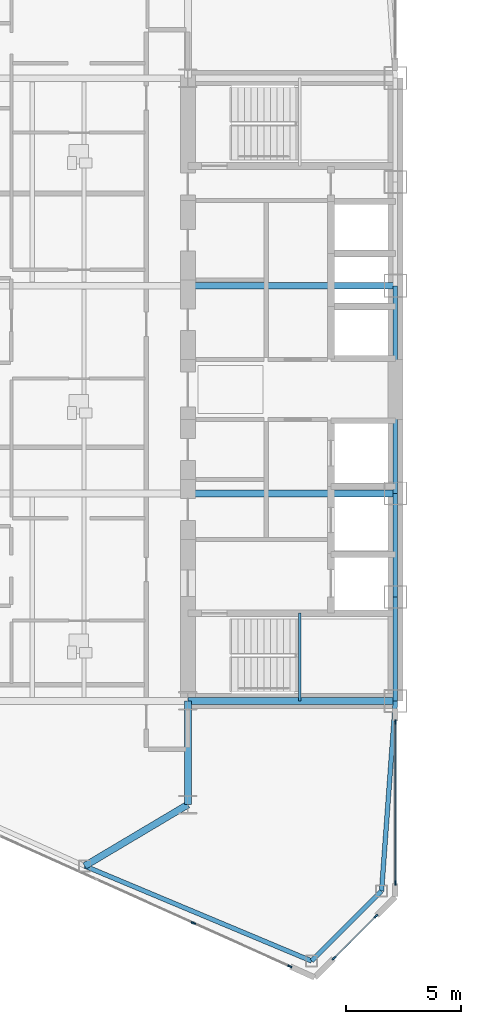
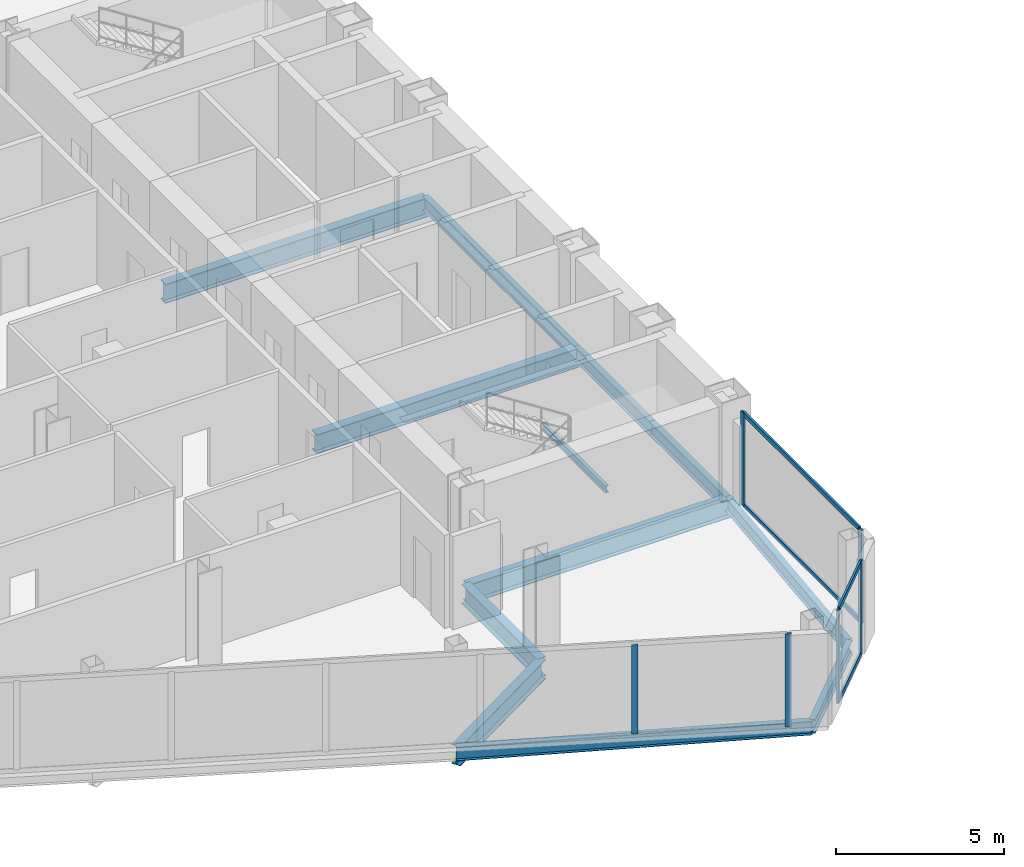
# One storey, part 6 of 27: 12 beams, 10 members, 3 elements without a shape of their own.
"""IFC4 building model written with IfcOpenShell, lengths in metres."""

from ifc_helpers import new_model, si_unit, direction, frame, origin, origin_2d, place, context, subcontext, project, spatial, rectangle, i_section, extrude, source, transform, mapped, material, layer, layer_set, material_profile, profile_set, type_object, type_shapes, element, aggregate, save


model = new_model("IFC4")

# Units and contexts
model_context = context("Model", 3, precision=1e-05, world=origin(), true_north=direction((0.0, 1.0)))
body_context = subcontext(model_context, "Body", "Model", "MODEL_VIEW")
ifc_project = project(units=[si_unit("LENGTHUNIT", "METRE"), si_unit("AREAUNIT", "SQUARE_METRE"), si_unit("VOLUMEUNIT", "CUBIC_METRE"), si_unit("PLANEANGLEUNIT", "RADIAN"), si_unit("MASSUNIT", "GRAM", prefix="KILO")], contexts=[model_context])

# Site, building, storey
site_placement = place(None, origin())
site = spatial("IfcSite", under=ifc_project, at=site_placement, CompositionType="ELEMENT")
building_placement = place(site_placement, origin())
building = spatial("IfcBuilding", under=site, at=building_placement, Name="Seokmaru Belvedere", CompositionType="ELEMENT")
storey_placement = place(building_placement, frame((0.0, 0.0, 96.0)))
storey = spatial("IfcBuildingStorey", under=building, at=storey_placement, Name="L25", CompositionType="ELEMENT", Elevation=96.0)

# Beams
ifc_material_1 = material(Name="Steel SM355 (355 MPa)", Category="steel")
ifc_material_profile_1 = material_profile(ifc_material_1, i_section(OverallWidth=0.199951171875, OverallDepth=0.5, WebThickness=0.010009765625, FlangeThickness=0.01611328125, at=origin_2d()), Name="H-500x200x10x16")
ifc_profile_set_1 = profile_set([ifc_material_profile_1], Name="Steel SM355 (355 MPa)")
beam_type_1 = type_object("IfcBeamType", Name="Perimeter Spandrel Beam H-500", PredefinedType="SPANDREL", material=ifc_profile_set_1)
shared_shape_1 = source(origin(), body_context, "Body", "SweptSolid", [
    extrude(i_section(OverallWidth=0.199951171875, OverallDepth=0.5, WebThickness=0.010009765625, FlangeThickness=0.01611328125, at=origin_2d()), origin(), (0.0, 0.0, 1.0), 4.5),
])
for number, where, z_axis, x_axis, name in (
    (1, (-27.5, -13.5, -0.469970703125), (0.0, 1.0, 0.0), (-1.0, 0.0, 0.0), "L25 W Portal Spine Spandrel 1"),
    (2, (-27.5, -9.0, -0.469970703125), (0.0, 1.0, 0.0), (-1.0, 0.0, 0.0), "L25 W Portal Spine Spandrel 2"),
):
    element("IfcBeam", number, at=place(storey_placement, frame(where, z_axis=z_axis, x_axis=x_axis)), inside=storey, type_object=beam_type_1, Name=name, PredefinedType="SPANDREL", context=body_context, shape_type="MappedRepresentation", body=[
        mapped(shared_shape_1, transform((0.0, 0.0, 0.0), scale=1.0)),
    ])
shared_shape_2 = source(origin(), body_context, "Body", "SweptSolid", [
    extrude(i_section(OverallWidth=0.199951171875, OverallDepth=0.5, WebThickness=0.010009765625, FlangeThickness=0.01611328125, at=origin_2d()), origin(), (0.0, 0.0, 1.0), 9.0),
])
beam_1_placement = place(storey_placement, frame((-27.5, -4.5, -0.469970703125), z_axis=(0.0, 1.0, 0.0), x_axis=(-1.0, 0.0, 0.0)))
element("IfcBeam", 3, at=beam_1_placement, inside=storey, type_object=beam_type_1, Name="L25 W Portal Spine Spandrel 3", PredefinedType="SPANDREL", context=body_context, shape_type="MappedRepresentation", body=[
    mapped(shared_shape_2, transform((0.0, 0.0, 0.0), scale=1.0)),
])
ifc_material_profile_2 = material_profile(ifc_material_1, i_section(OverallWidth=0.300048828125, OverallDepth=0.699951171875, WebThickness=0.012939453125, FlangeThickness=0.02392578125, at=origin_2d()), Name="H-700x300x13x24")
ifc_profile_set_2 = profile_set([ifc_material_profile_2], Name="Steel SM355 (355 MPa)")
beam_type_2 = type_object("IfcBeamType", Name="Primary Floor Girder H-700", PredefinedType="BEAM", material=ifc_profile_set_2)
shared_shape_3 = source(origin(), body_context, "Body", "SweptSolid", [
    extrude(i_section(OverallWidth=0.300048828125, OverallDepth=0.699951171875, WebThickness=0.012939453125, FlangeThickness=0.02392578125, at=origin_2d()), origin(), (0.0, 0.0, 1.0), 4.5),
])
beam_2_placement = place(storey_placement, frame((-36.5, -18.0, -0.570068359375), z_axis=(0.0, 1.0, 0.0), x_axis=(-1.0, 0.0, 0.0)))
element("IfcBeam", 4, at=beam_2_placement, inside=storey, type_object=beam_type_2, Name="L25 W Core Shoulder Girder S", PredefinedType="BEAM", context=body_context, shape_type="MappedRepresentation", body=[
    mapped(shared_shape_3, transform((0.0, 0.0, 0.0), scale=1.0)),
])
shared_shape_4 = source(origin(), body_context, "Body", "SweptSolid", [
    extrude(i_section(OverallWidth=0.300048828125, OverallDepth=0.699951171875, WebThickness=0.012939453125, FlangeThickness=0.02392578125, at=origin_2d()), origin(), (0.0, 0.0, 1.0), 9.0),
])
for number, where, z_axis, x_axis, name in (
    (5, (-36.5, -13.5, -0.570068359375), (1.0, 0.0, 0.0), (0.0, 1.0, 0.0), "L25 W Core Tie Girder 1"),
    (6, (-36.5, -4.5, -0.570068359375), (1.0, 0.0, 0.0), (0.0, 1.0, 0.0), "L25 W Core Tie Girder 2"),
    (7, (-36.5, 4.5, -0.570068359375), (1.0, 0.0, 0.0), (0.0, 1.0, 0.0), "L25 W Core Tie Girder 3"),
):
    element("IfcBeam", number, at=place(storey_placement, frame(where, z_axis=z_axis, x_axis=x_axis)), inside=storey, type_object=beam_type_2, Name=name, PredefinedType="BEAM", context=body_context, shape_type="MappedRepresentation", body=[
        mapped(shared_shape_4, transform((0.0, 0.0, 0.0), scale=1.0)),
    ])
shared_shape_5 = source(origin(), body_context, "Body", "SweptSolid", [
    extrude(i_section(OverallWidth=0.199951171875, OverallDepth=0.5, WebThickness=0.010009765625, FlangeThickness=0.01611328125, at=origin_2d()), origin(), (0.0, 0.0, 1.0), 10.66943359375),
])
beam_3_placement = place(storey_placement, frame((-31.13134765625, -24.782958984375, -0.469970703125), z_axis=(-0.922375393128, 0.386294750355, 0.0), x_axis=(-0.386294750355, -0.922375393128, 0.0)))
element("IfcBeam", 8, at=beam_3_placement, inside=storey, type_object=beam_type_1, Name="L25 W Faceted Flank Spandrel S-1", PredefinedType="SPANDREL", context=body_context, shape_type="MappedRepresentation", body=[
    mapped(shared_shape_5, transform((0.0, 0.0, 0.0), scale=1.0)),
])
shared_shape_6 = source(origin(), body_context, "Body", "SweptSolid", [
    extrude(i_section(OverallWidth=0.199951171875, OverallDepth=0.5, WebThickness=0.010009765625, FlangeThickness=0.01611328125, at=origin_2d()), origin(), (0.0, 0.0, 1.0), 4.287109375),
])
beam_4_placement = place(storey_placement, frame((-31.13134765625, -24.782958984375, -0.469970703125), z_axis=(0.707078306132, 0.707135255094, 0.0), x_axis=(-0.707135255094, 0.707078306132, 0.0)))
element("IfcBeam", 9, at=beam_4_placement, inside=storey, type_object=beam_type_1, Name="L25 W Shoulder Chamfer Spandrel S", PredefinedType="SPANDREL", context=body_context, shape_type="MappedRepresentation", body=[
    mapped(shared_shape_6, transform((0.0, 0.0, 0.0), scale=1.0)),
])
shared_shape_7 = source(origin(), body_context, "Body", "SweptSolid", [
    extrude(i_section(OverallWidth=0.199951171875, OverallDepth=0.5, WebThickness=0.010009765625, FlangeThickness=0.01611328125, at=origin_2d()), origin(), (0.0, 0.0, 1.0), 8.273193359375),
])
type_shapes(beam_type_1, [shared_shape_1, shared_shape_2, shared_shape_5, shared_shape_6, shared_shape_7])
beam_5_placement = place(storey_placement, frame((-28.10009765625, -21.75146484375, -0.469970703125), z_axis=(0.072534628348, 0.99736589459, 0.0), x_axis=(-0.99736589459, 0.072534628348, 0.0)))
element("IfcBeam", 10, at=beam_5_placement, inside=storey, type_object=beam_type_1, Name="L25 W Shoulder Spine Spandrel S", PredefinedType="SPANDREL", context=body_context, shape_type="MappedRepresentation", body=[
    mapped(shared_shape_7, transform((0.0, 0.0, 0.0), scale=1.0)),
])
shared_shape_8 = source(origin(), body_context, "Body", "SweptSolid", [
    extrude(i_section(OverallWidth=0.300048828125, OverallDepth=0.699951171875, WebThickness=0.012939453125, FlangeThickness=0.02392578125, at=origin_2d()), origin(), (0.0, 0.0, 1.0), 5.20458984375),
])
type_shapes(beam_type_2, [shared_shape_3, shared_shape_4, shared_shape_8])
beam_6_placement = place(storey_placement, frame((-40.97265625, -20.661376953125, -0.570068359375), z_axis=(0.859370434188, 0.511353553662, 0.0), x_axis=(-0.511353553662, 0.859370434188, 0.0)))
element("IfcBeam", 11, at=beam_6_placement, inside=storey, type_object=beam_type_2, Name="L25 W Flank Radial Floor Girder S-1", PredefinedType="BEAM", context=body_context, shape_type="MappedRepresentation", body=[
    mapped(shared_shape_8, transform((0.0, 0.0, 0.0), scale=1.0)),
])

# Curtain wall, members
ifc_material_2 = material(Name="Bronze Triple Insulating Glass", Category="glass")
ifc_layer = layer(ifc_material_2, 0.195068359375)
ifc_layer_set = layer_set([ifc_layer], Name="Bronze Triple Insulating Glass")
curtain_wall_type = type_object("IfcCurtainWallType", Name="Lower-Mid Tapered Curtain Wall System CW-3", PredefinedType="NOTDEFINED", material=ifc_layer_set)
curtain_wall_1_placement = place(storey_placement, origin())
curtain_wall_1 = element("IfcCurtainWall", 12, at=curtain_wall_1_placement, inside=storey, type_object=curtain_wall_type, Name="L25 Curtain Wall WSP_1", PredefinedType="NOTDEFINED")
ifc_material_3 = material(Name="Anodised Bronze Aluminium", Category="aluminium")
ifc_material_profile_3 = material_profile(ifc_material_3, rectangle(XDim=0.070068359375, YDim=0.195068359375, at=origin_2d()), Name="CW-M-70x195")
ifc_profile_set_3 = profile_set([ifc_material_profile_3], Name="Anodised Bronze Aluminium")
member_type_1 = type_object("IfcMemberType", Name="Bronze Unitised Mullion 70x195", PredefinedType="MULLION", material=ifc_profile_set_3)
shared_shape_9 = source(origin(), body_context, "Body", "SweptSolid", [
    extrude(rectangle(XDim=0.070068359375, YDim=0.195068359375, at=origin_2d()), origin(), (0.0, 0.0, 1.0), 3.3798828125),
])
member_1_placement = place(storey_placement, frame((-27.5, -21.39501953125, 0.0), z_axis=(0.0, 0.0, 1.0), x_axis=(-1.0, 0.0, 0.0)))
member_1 = element("IfcMember", 13, at=member_1_placement, type_object=member_type_1, Name="CW:L25:WSP_1 Mullion 1", PredefinedType="MULLION", context=body_context, shape_type="MappedRepresentation", body=[
    mapped(shared_shape_9, transform((0.0, 0.0, 0.0), scale=1.0)),
])
member_2_placement = place(storey_placement, frame((-27.5, -14.4150390625, 0.0), z_axis=(0.0, 0.0, 1.0), x_axis=(-1.0, 0.0, 0.0)))
member_2 = element("IfcMember", 14, at=member_2_placement, type_object=member_type_1, Name="CW:L25:WSP_1 Mullion 2", PredefinedType="MULLION", context=body_context, shape_type="MappedRepresentation", body=[
    mapped(shared_shape_9, transform((0.0, 0.0, 0.0), scale=1.0)),
])

# Curtain wall, member
curtain_wall_2_placement = place(storey_placement, origin())
curtain_wall_2 = element("IfcCurtainWall", 15, at=curtain_wall_2_placement, inside=storey, type_object=curtain_wall_type, Name="L25 Curtain Wall WF5", PredefinedType="NOTDEFINED")
member_3_placement = place(storey_placement, frame((-32.08056640625, -25.013671875, 0.0), z_axis=(0.0, 0.0, 1.0), x_axis=(0.41036554765, 0.91192111353, 0.0)))
member_3 = element("IfcMember", 16, at=member_3_placement, type_object=member_type_1, Name="CW:L25:WF5 Mullion 10", PredefinedType="MULLION", context=body_context, shape_type="MappedRepresentation", body=[
    mapped(shared_shape_9, transform((0.0, 0.0, 0.0), scale=1.0)),
])

# Curtain wall, members
curtain_wall_3_placement = place(storey_placement, origin())
curtain_wall_3 = element("IfcCurtainWall", 17, at=curtain_wall_3_placement, inside=storey, type_object=curtain_wall_type, Name="L25 Curtain Wall WF6", PredefinedType="NOTDEFINED")
member_4_placement = place(storey_placement, frame((-30.162109375, -24.662109375, 0.0), z_axis=(0.0, 0.0, 1.0), x_axis=(-0.707106781187, 0.707106781187, 0.0)))
member_4 = element("IfcMember", 18, at=member_4_placement, type_object=member_type_1, Name="CW:L25:WF6 Mullion 1", PredefinedType="MULLION", context=body_context, shape_type="MappedRepresentation", body=[
    mapped(shared_shape_9, transform((0.0, 0.0, 0.0), scale=1.0)),
])
member_5_placement = place(storey_placement, frame((-28.337890625, -22.837890625, 0.0), z_axis=(0.0, 0.0, 1.0), x_axis=(-0.707106781187, 0.707106781187, 0.0)))
member_5 = element("IfcMember", 19, at=member_5_placement, type_object=member_type_1, Name="CW:L25:WF6 Mullion 2", PredefinedType="MULLION", context=body_context, shape_type="MappedRepresentation", body=[
    mapped(shared_shape_9, transform((0.0, 0.0, 0.0), scale=1.0)),
])

# Member
ifc_material_profile_4 = material_profile(ifc_material_3, rectangle(XDim=0.070068359375, YDim=0.1650390625, at=origin_2d()), Name="CW-T-70x165")
ifc_profile_set_4 = profile_set([ifc_material_profile_4], Name="Anodised Bronze Aluminium")
member_type_2 = type_object("IfcMemberType", Name="Bronze Unitised Transom 70x165", PredefinedType="USERDEFINED", material=ifc_profile_set_4)
shared_shape_10 = source(origin(), body_context, "Body", "SweptSolid", [
    extrude(rectangle(XDim=0.070068359375, YDim=0.1650390625, at=origin_2d()), origin(), (0.0, 0.0, 1.0), 6.91015625),
])
member_6_placement = place(storey_placement, frame((-27.5, -21.360107421875, 0.034912109375), z_axis=(0.0, 1.0, 0.0), x_axis=(-1.0, 0.0, 0.0)))
member_6 = element("IfcMember", 20, at=member_6_placement, type_object=member_type_2, Name="CW:L25:WSP_1 Continuous Transom 1", ObjectType="TRANSOM", PredefinedType="USERDEFINED", context=body_context, shape_type="MappedRepresentation", body=[
    mapped(shared_shape_10, transform((0.0, 0.0, 0.0), scale=1.0)),
])

member_7_placement = place(storey_placement, frame((-27.5, -21.360107421875, 3.344970703125), z_axis=(0.0, 1.0, 0.0), x_axis=(-1.0, 0.0, 0.0)))
member_7 = element("IfcMember", 21, at=member_7_placement, type_object=member_type_2, Name="CW:L25:WSP_1 Continuous Transom 2", ObjectType="TRANSOM", PredefinedType="USERDEFINED", context=body_context, shape_type="MappedRepresentation", body=[
    mapped(shared_shape_10, transform((0.0, 0.0, 0.0), scale=1.0)),
])

aggregate(curtain_wall_1, [member_1, member_2, member_6, member_7])

shared_shape_11 = source(origin(), body_context, "Body", "SweptSolid", [
    extrude(rectangle(XDim=0.070068359375, YDim=0.1650390625, at=origin_2d()), origin(), (0.0, 0.0, 1.0), 2.509521484375),
])
type_shapes(member_type_2, [shared_shape_10, shared_shape_11])
member_8_placement = place(storey_placement, frame((-30.13720703125, -24.63720703125, 0.034912109375), z_axis=(0.707106781187, 0.707106781187, 0.0), x_axis=(-0.707106781187, 0.707106781187, 0.0)))
member_8 = element("IfcMember", 22, at=member_8_placement, type_object=member_type_2, Name="CW:L25:WF6 Continuous Transom 1", ObjectType="TRANSOM", PredefinedType="USERDEFINED", context=body_context, shape_type="MappedRepresentation", body=[
    mapped(shared_shape_11, transform((0.0, 0.0, 0.0), scale=1.0)),
])

member_9_placement = place(storey_placement, frame((-30.13720703125, -24.63720703125, 3.344970703125), z_axis=(0.707106781187, 0.707106781187, 0.0), x_axis=(-0.707106781187, 0.707106781187, 0.0)))
member_9 = element("IfcMember", 23, at=member_9_placement, type_object=member_type_2, Name="CW:L25:WF6 Continuous Transom 2", ObjectType="TRANSOM", PredefinedType="USERDEFINED", context=body_context, shape_type="MappedRepresentation", body=[
    mapped(shared_shape_11, transform((0.0, 0.0, 0.0), scale=1.0)),
])

aggregate(curtain_wall_3, [member_4, member_5, member_8, member_9])

shared_shape_12 = source(origin(), body_context, "Body", "SweptSolid", [
    extrude(rectangle(XDim=0.070068359375, YDim=0.195068359375, at=origin_2d()), origin(), (0.0, 0.0, 1.0), 3.239990234375),
])
type_shapes(member_type_1, [shared_shape_9, shared_shape_12])
member_10_placement = place(storey_placement, frame((-36.260009765625, -23.133056640625, 0.070068359375), z_axis=(0.0, 0.0, 1.0), x_axis=(0.41036554765, 0.91192111353, 0.0)))
member_10 = element("IfcMember", 24, at=member_10_placement, type_object=member_type_1, Name="CW:L25:WF5 Mullion 9", PredefinedType="MULLION", context=body_context, shape_type="MappedRepresentation", body=[
    mapped(shared_shape_12, transform((0.0, 0.0, 0.0), scale=1.0)),
])

aggregate(curtain_wall_2, [member_10, member_3])

# Beam
ifc_material_profile_5 = material_profile(ifc_material_1, i_section(OverallWidth=0.125, OverallDepth=0.25, WebThickness=0.006103515625, FlangeThickness=0.009033203125, at=origin_2d()), Name="H-250x125x6x9")
ifc_profile_set_5 = profile_set([ifc_material_profile_5], Name="Steel SM355 (355 MPa)")
beam_type_3 = type_object("IfcBeamType", Name="Stair Mid-Landing Support Beam H-250", PredefinedType="JOIST", material=ifc_profile_set_5)
shared_shape_13 = source(origin(), body_context, "Body", "SweptSolid", [
    extrude(i_section(OverallWidth=0.125, OverallDepth=0.25, WebThickness=0.006103515625, FlangeThickness=0.009033203125, at=origin_2d()), origin(), (0.0, 0.0, 1.0), 3.800048828125),
])
type_shapes(beam_type_3, [shared_shape_13])
beam_7_placement = place(storey_placement, frame((-31.64990234375, -13.5, 1.47509765625), z_axis=(0.0, 1.0, 0.0), x_axis=(-1.0, 0.0, 0.0)))
element("IfcBeam", 25, at=beam_7_placement, inside=storey, type_object=beam_type_3, Name="L25 Stair ST-W1 Mid-Landing Support Beam 1", PredefinedType="JOIST", context=body_context, shape_type="MappedRepresentation", body=[
    mapped(shared_shape_13, transform((0.0, 0.0, 0.0), scale=1.0)),
])

save(model, "model.ifc")
